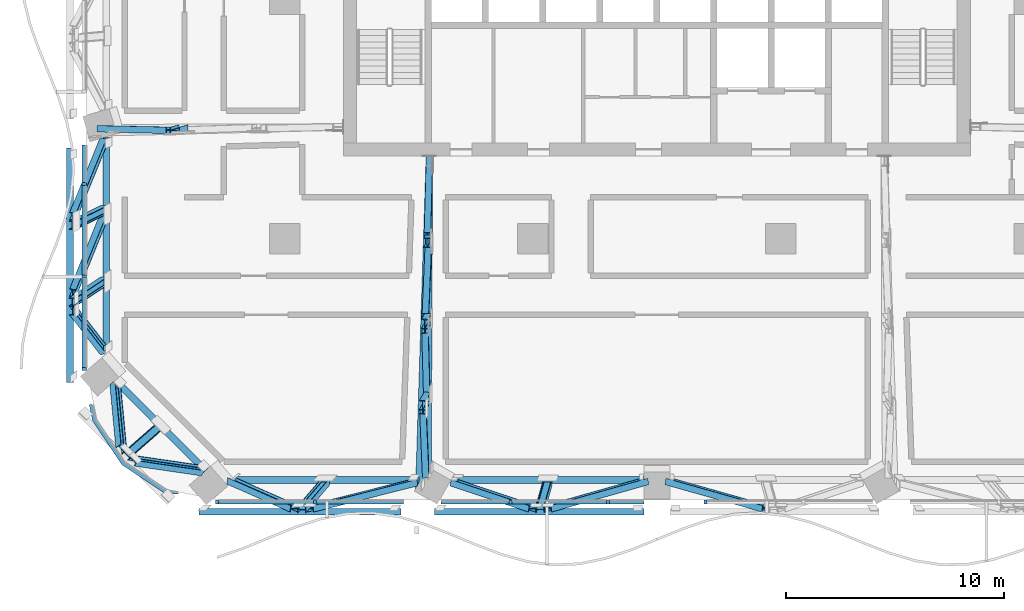
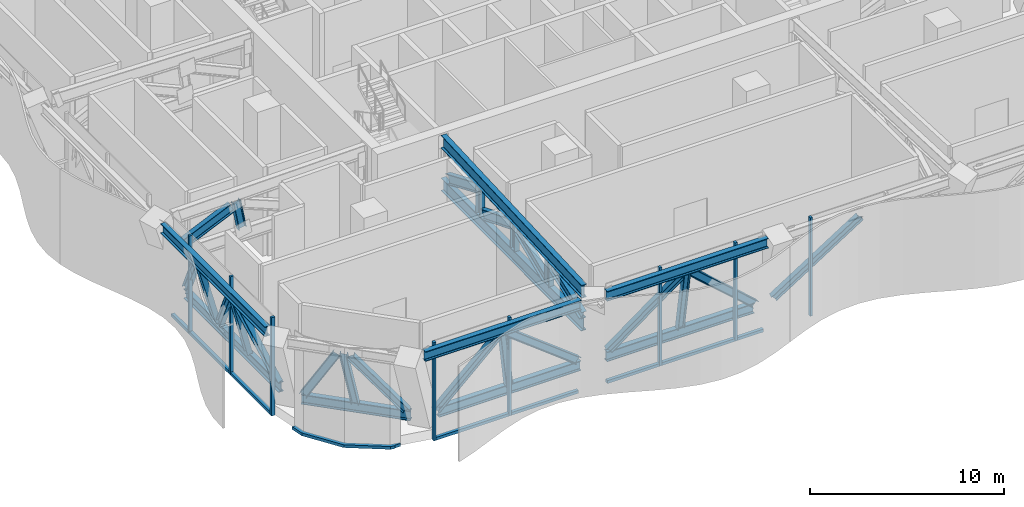
# One storey, part 2 of 26: 50 members, 3 elements without a shape of their own.
"""IFC4 building model written with IfcOpenShell, lengths in metres."""

import ifcopenshell
import ifcopenshell.guid

model = None  # the IFC model being written
_history = None  # IfcOwnerHistory: only IFC2X3 demands one
_inside = {}  # id of a spatial element -> (the spatial element, [elements in it])
_under = {}  # id of a project, library or spatial element -> (it, [spatial elements below it])
_declared = {}  # id of a project -> (the project, [libraries it declares])
_typed = {}  # id of a type object -> (the type object, [elements of that type])
_made_of = {}  # id of a material, layer set ... -> (it, [elements and type objects made of it])


def new_model(schema):
    """Start an empty IFC model of exactly this schema.

    Asked for "IFC4X3", IfcOpenShell would pick the latest addendum, in which some entities
    have other attributes; the version numbers below select the first issue.
    IFC2X3 requires an IfcOwnerHistory on every rooted entity: one is made here for all.
    """
    global model, _history
    if schema == "IFC4X3":
        model = ifcopenshell.file(schema_version=(4, 3, 0, 0))
    else:
        model = ifcopenshell.file(schema=schema)
    _inside.clear()
    _under.clear()
    _declared.clear()
    _typed.clear()
    _made_of.clear()
    _history = None
    if model.schema == "IFC2X3":
        org = make("IfcOrganization", Name="unknown")
        user = make(
            "IfcPersonAndOrganization",
            ThePerson=make("IfcPerson", FamilyName="unknown"),
            TheOrganization=org,
        )
        app = make(
            "IfcApplication",
            ApplicationDeveloper=org,
            Version="unknown",
            ApplicationFullName="unknown",
            ApplicationIdentifier="unknown",
        )
        _history = make(
            "IfcOwnerHistory",
            OwningUser=user,
            OwningApplication=app,
            ChangeAction="ADDED",
            CreationDate=0,
        )
    return model


def make(cls, **values):
    """One entity of the class cls with the attributes given. An attribute that is None is left unset."""
    return model.create_entity(
        cls, **{name: value for name, value in values.items() if value is not None}
    )


def rooted(cls, **values):
    """An entity with a GlobalId (a new one), such as an element, a storey or a relation."""
    return make(cls, GlobalId=ifcopenshell.guid.new(), OwnerHistory=_history, **values)


def si_unit(unit_type, name, prefix=None):
    """IfcSIUnit, for example si_unit("LENGTHUNIT", "METRE", prefix="MILLI")."""
    return make("IfcSIUnit", UnitType=unit_type, Prefix=prefix, Name=name)


def assignment(units):
    """IfcUnitAssignment: the units of a project."""
    return None if units is None else make("IfcUnitAssignment", Units=units)


def point(xyz):
    """IfcCartesianPoint."""
    return None if xyz is None else make("IfcCartesianPoint", Coordinates=xyz)


def direction(xyz):
    """IfcDirection."""
    return None if xyz is None else make("IfcDirection", DirectionRatios=xyz)


def frame(location, z_axis=None, x_axis=None):
    """IfcAxis2Placement3D, a coordinate frame: its origin and axes. An axis left out is left unset."""
    return make(
        "IfcAxis2Placement3D",
        Location=point(location),
        Axis=direction(z_axis),
        RefDirection=direction(x_axis),
    )


def frame_2d(location, x_axis=None):
    """IfcAxis2Placement2D, a coordinate frame in the plane: its origin and x axis."""
    return make(
        "IfcAxis2Placement2D", Location=point(location), RefDirection=direction(x_axis)
    )


def origin():
    """The frame at (0, 0, 0) with its axes left unset."""
    return frame((0.0, 0.0, 0.0))


def origin_2d():
    """The frame at (0, 0) in the plane with its x axis left unset."""
    return frame_2d((0.0, 0.0))


def place(relative_to, where):
    """IfcLocalPlacement: puts the frame where relative to a parent placement (None: the world)."""
    return make(
        "IfcLocalPlacement", PlacementRelTo=relative_to, RelativePlacement=where
    )


def context(
    kind, dimensions, precision=None, world=None, true_north=None, identifier=None
):
    """IfcGeometricRepresentationContext, for example the 3D "Model" context."""
    return make(
        "IfcGeometricRepresentationContext",
        ContextIdentifier=identifier,
        ContextType=kind,
        CoordinateSpaceDimension=dimensions,
        Precision=precision,
        WorldCoordinateSystem=world,
        TrueNorth=true_north,
    )


def subcontext(parent, identifier, kind, view, scale=None):
    """IfcGeometricRepresentationSubContext, for example "Body" below "Model"."""
    return make(
        "IfcGeometricRepresentationSubContext",
        ContextIdentifier=identifier,
        ContextType=kind,
        ParentContext=parent,
        TargetScale=scale,
        TargetView=view,
    )


def project(units=None, contexts=None):
    """IfcProject with its units and contexts."""
    return rooted(
        "IfcProject",
        Name="project",
        RepresentationContexts=contexts,
        UnitsInContext=assignment(units),
    )


def spatial(cls, under=None, at=None, **own):
    """A site, building, storey or space (cls), placed at a placement, below another one or the project."""
    s = rooted(cls, ObjectPlacement=at, **own)
    if under is not None:
        _under.setdefault(under.id(), (under, []))[1].append(s)
    return s


def polyline(points):
    """IfcPolyline through the points."""
    return make("IfcPolyline", Points=[point(p) for p in points])


def profile(cls, at=None, kind="AREA", **sizes):
    """A parametric profile (cls). Its sizes go by their IFC names, for example OverallWidth=200.0."""
    return make(cls, ProfileType=kind, Position=at, **sizes)


def rectangle(**sizes):
    """IfcRectangleProfileDef."""
    return profile("IfcRectangleProfileDef", **sizes)


def i_section(**sizes):
    """IfcIShapeProfileDef."""
    return profile("IfcIShapeProfileDef", **sizes)


def outline(outer, holes=None, kind="AREA"):
    """IfcArbitraryClosedProfileDef: a profile drawn as a closed curve; with holes, ...WithVoids."""
    if holes is None:
        return make("IfcArbitraryClosedProfileDef", ProfileType=kind, OuterCurve=outer)
    return make(
        "IfcArbitraryProfileDefWithVoids",
        ProfileType=kind,
        OuterCurve=outer,
        InnerCurves=holes,
    )


def extrude(swept, where, along, depth):
    """IfcExtrudedAreaSolid: the profile swept, set in the frame where, extruded along a direction by depth."""
    return make(
        "IfcExtrudedAreaSolid",
        SweptArea=swept,
        Position=where,
        ExtrudedDirection=direction(along),
        Depth=depth,
    )


def shape(context_of_items, identifier, shape_type, items):
    """IfcShapeRepresentation: the items that make up one representation, for example the "Body"."""
    return make(
        "IfcShapeRepresentation",
        ContextOfItems=context_of_items,
        RepresentationIdentifier=identifier,
        RepresentationType=shape_type,
        Items=items,
    )


def material(Name=None, Category=None):
    """IfcMaterial."""
    return make("IfcMaterial", Name=Name, Category=Category)


def material_profile(
    of_material, cross_section, Name=None, Category=None, Priority=None
):
    """IfcMaterialProfile: a cross section and its material."""
    return make(
        "IfcMaterialProfile",
        Name=Name,
        Material=of_material,
        Profile=cross_section,
        Priority=Priority,
        Category=Category,
    )


def profile_set(profiles, Name=None, composite=None):
    """IfcMaterialProfileSet."""
    return make(
        "IfcMaterialProfileSet",
        Name=Name,
        MaterialProfiles=profiles,
        CompositeProfile=composite,
    )


def made_of(thing, what):
    """Note that an element or type object is made of a material, layer set ...; save() writes the relation."""
    if what is not None:
        _made_of.setdefault(what.id(), (what, []))[1].append(thing)
    return thing


def type_object(cls, material=None, **own):
    """A type object (cls), such as IfcWallType, which elements share."""
    return made_of(rooted(cls, **own), material)


def element(
    cls,
    number,
    at=None,
    inside=None,
    cuts=None,
    type_object=None,
    material=None,
    context=None,
    identifier="Body",
    shape_type=None,
    held_by="IfcProductDefinitionShape",
    body=None,
    shapes=None,
    **own,
):
    """One element of the class cls, such as IfcWall. Its Tag is "e" and its number.

    at: its placement. inside: the storey or other place that contains it. cuts: it is an
    opening in that element (IfcRelVoidsElement). A single representation is given by context,
    identifier, shape_type and body (its items); several are given by shapes. held_by: the class
    of the entity that holds the representations. save() writes the other relations.
    """
    e = rooted(cls, Tag="e%d" % number, ObjectPlacement=at, **own)
    if body is not None:
        shapes = [shape(context, identifier, shape_type, body)]
    if shapes is not None:
        e.Representation = make(held_by, Representations=shapes)
    if inside is not None:
        _inside.setdefault(inside.id(), (inside, []))[1].append(e)
    if cuts is not None:
        rooted(
            "IfcRelVoidsElement", RelatingBuildingElement=cuts, RelatedOpeningElement=e
        )
    if type_object is not None:
        _typed.setdefault(type_object.id(), (type_object, []))[1].append(e)
    return made_of(e, material)


def aggregate(whole, parts):
    """IfcRelAggregates: a whole, such as a stair, and the parts it consists of."""
    return rooted("IfcRelAggregates", RelatingObject=whole, RelatedObjects=parts)


def save(model, path):
    """Write the relations noted so far, then the file.

    IfcRelAggregates (storeys below a building ...), IfcRelContainedInSpatialStructure (elements
    in a storey), IfcRelDefinesByType, IfcRelAssociatesMaterial and IfcRelDeclares: one each for
    every whole, place, type object, material and project.
    """
    for whole, parts in _under.values():
        aggregate(whole, parts)
    for where, things in _inside.values():
        rooted(
            "IfcRelContainedInSpatialStructure",
            RelatedElements=things,
            RelatingStructure=where,
        )
    for kind, things in _typed.values():
        rooted("IfcRelDefinesByType", RelatedObjects=things, RelatingType=kind)
    for what, things in _made_of.values():
        rooted("IfcRelAssociatesMaterial", RelatedObjects=things, RelatingMaterial=what)
    for by, libraries in _declared.values():
        rooted("IfcRelDeclares", RelatingContext=by, RelatedDefinitions=libraries)
    model.write(path)


model = new_model("IFC4")

# Units and contexts
model_context = context("Model", 3, precision=1e-05, world=origin(), true_north=direction((0.0, 1.0)))
body_context = subcontext(model_context, "Body", "Model", "MODEL_VIEW")
ifc_project = project(units=[si_unit("LENGTHUNIT", "METRE"), si_unit("AREAUNIT", "SQUARE_METRE"), si_unit("VOLUMEUNIT", "CUBIC_METRE"), si_unit("PLANEANGLEUNIT", "RADIAN"), si_unit("MASSUNIT", "GRAM", prefix="KILO")], contexts=[model_context])

# Site, building, storey
site_placement = place(None, origin())
site = spatial("IfcSite", under=ifc_project, at=site_placement, CompositionType="ELEMENT")
building_placement = place(site_placement, origin())
building = spatial("IfcBuilding", under=site, at=building_placement, Name="Mopane Tessera Tower", CompositionType="ELEMENT")
storey_placement = place(building_placement, frame((0.0, 0.0, 205.0)))
storey = spatial("IfcBuildingStorey", under=building, at=storey_placement, Name="L43", CompositionType="ELEMENT", Elevation=205.0)

# Curtain wall, members
ifc_material_1 = material(Name="Aluminium frame", Category="aluminium")
curtain_wall_type = type_object("IfcCurtainWallType", Name="Plant floor unitised wall", PredefinedType="NOTDEFINED", material=ifc_material_1)
curtain_wall_1_placement = place(storey_placement, origin())
curtain_wall_1 = element("IfcCurtainWall", 1, at=curtain_wall_1_placement, inside=storey, type_object=curtain_wall_type, Name="e:cw:L43:S:0", PredefinedType="NOTDEFINED")
ifc_material_2 = material(Name="Aluminium frame", Category="aluminium")
ifc_material_profile_1 = material_profile(ifc_material_2, rectangle(XDim=0.139892578125, YDim=0.199951171875, at=origin_2d()))
ifc_profile_set_1 = profile_set([ifc_material_profile_1], Name="Aluminium frame")
member_type_1 = type_object("IfcMemberType", Name="Aluminium mullion 140 x 200", PredefinedType="MULLION", material=ifc_profile_set_1)
member_1_placement = place(storey_placement, frame((-20.199951171875, -23.10009765625, -0.60009765625), z_axis=(0.0, 0.0, 1.0), x_axis=(1.0, 0.0, 0.0)))
member_1 = element("IfcMember", 2, at=member_1_placement, type_object=member_type_1, Name="e:cw:L43:S:0:mu0", PredefinedType="MULLION", context=body_context, shape_type="SweptSolid", body=[
    extrude(rectangle(XDim=0.139892578125, YDim=0.199951171875, at=origin_2d()), origin(), (0.0, 0.0, 1.0), 6.2001953125),
])
member_2_placement = place(storey_placement, frame((-15.711181640625, -23.10009765625, -0.60009765625), z_axis=(0.0, 0.0, 1.0), x_axis=(1.0, 0.0, 0.0)))
member_2 = element("IfcMember", 3, at=member_2_placement, type_object=member_type_1, Name="e:cw:L43:S:0:mu1", PredefinedType="MULLION", context=body_context, shape_type="SweptSolid", body=[
    extrude(rectangle(XDim=0.139892578125, YDim=0.199951171875, at=origin_2d()), origin(), (0.0, 0.0, 1.0), 6.2001953125),
])
member_3_placement = place(storey_placement, frame((-6.7333984375, -23.10009765625, -0.60009765625), z_axis=(0.0, 0.0, 1.0), x_axis=(1.0, 0.0, 0.0)))
member_3 = element("IfcMember", 4, at=member_3_placement, type_object=member_type_1, Name="e:cw:L43:S:0:mu3", PredefinedType="MULLION", context=body_context, shape_type="SweptSolid", body=[
    extrude(rectangle(XDim=0.139892578125, YDim=0.199951171875, at=origin_2d()), origin(), (0.0, 0.0, 1.0), 6.2001953125),
])
member_4_placement = place(storey_placement, frame((-2.244384765625, -23.10009765625, -0.60009765625), z_axis=(0.0, 0.0, 1.0), x_axis=(1.0, 0.0, 0.0)))
member_4 = element("IfcMember", 5, at=member_4_placement, type_object=member_type_1, Name="e:cw:L43:S:0:mu4", PredefinedType="MULLION", context=body_context, shape_type="SweptSolid", body=[
    extrude(rectangle(XDim=0.139892578125, YDim=0.199951171875, at=origin_2d()), origin(), (0.0, 0.0, 1.0), 6.2001953125),
])
member_5_placement = place(storey_placement, frame((2.244384765625, -23.10009765625, -0.60009765625), z_axis=(0.0, 0.0, 1.0), x_axis=(1.0, 0.0, 0.0)))
member_5 = element("IfcMember", 6, at=member_5_placement, type_object=member_type_1, Name="e:cw:L43:S:0:mu5", PredefinedType="MULLION", context=body_context, shape_type="SweptSolid", body=[
    extrude(rectangle(XDim=0.139892578125, YDim=0.199951171875, at=origin_2d()), origin(), (0.0, 0.0, 1.0), 6.2001953125),
])

curtain_wall_2_placement = place(storey_placement, origin())
curtain_wall_2 = element("IfcCurtainWall", 7, at=curtain_wall_2_placement, inside=storey, type_object=curtain_wall_type, Name="e:cw:L43:W:0", PredefinedType="NOTDEFINED")
member_6_placement = place(storey_placement, frame((-26.300048828125, -8.5, -0.60009765625), z_axis=(0.0, 0.0, 1.0), x_axis=(0.0, -1.0, 0.0)))
member_6 = element("IfcMember", 8, at=member_6_placement, type_object=member_type_1, Name="e:cw:L43:W:0:mu6", PredefinedType="MULLION", context=body_context, shape_type="SweptSolid", body=[
    extrude(rectangle(XDim=0.139892578125, YDim=0.199951171875, at=origin_2d()), origin(), (0.0, 0.0, 1.0), 6.2001953125),
])
member_7_placement = place(storey_placement, frame((-26.300048828125, -12.75, -0.60009765625), z_axis=(0.0, 0.0, 1.0), x_axis=(0.0, -1.0, 0.0)))
member_7 = element("IfcMember", 9, at=member_7_placement, type_object=member_type_1, Name="e:cw:L43:W:0:mu7", PredefinedType="MULLION", context=body_context, shape_type="SweptSolid", body=[
    extrude(rectangle(XDim=0.139892578125, YDim=0.199951171875, at=origin_2d()), origin(), (0.0, 0.0, 1.0), 6.2001953125),
])
member_8_placement = place(storey_placement, frame((-26.300048828125, -17.0, -0.60009765625), z_axis=(0.0, 0.0, 1.0), x_axis=(0.0, -1.0, 0.0)))
member_8 = element("IfcMember", 10, at=member_8_placement, type_object=member_type_1, Name="e:cw:L43:W:0:mu8", PredefinedType="MULLION", context=body_context, shape_type="SweptSolid", body=[
    extrude(rectangle(XDim=0.139892578125, YDim=0.199951171875, at=origin_2d()), origin(), (0.0, 0.0, 1.0), 6.2001953125),
])

# Member
ifc_material_3 = material(Name="Aluminium frame", Category="aluminium")
ifc_material_profile_2 = material_profile(ifc_material_3, rectangle(XDim=0.199951171875, YDim=0.179931640625, at=origin_2d()))
ifc_profile_set_2 = profile_set([ifc_material_profile_2], Name="Aluminium frame")
member_type_2 = type_object("IfcMemberType", Name="Aluminium transom 200 x 180", PredefinedType="USERDEFINED", material=ifc_profile_set_2)
member_9_placement = place(storey_placement, frame((-20.1298828125, -23.10009765625, -0.510009765625), z_axis=(1.0, 0.0, 0.0), x_axis=(0.0, 1.0, 0.0)))
member_9 = element("IfcMember", 11, at=member_9_placement, type_object=member_type_2, Name="e:cw:L43:S:0:tr0", ObjectType="TRANSOM", PredefinedType="USERDEFINED", context=body_context, shape_type="SweptSolid", body=[
    extrude(rectangle(XDim=0.199951171875, YDim=0.179931640625, at=origin_2d()), origin(), (0.0, 0.0, 1.0), 4.348876953125),
])

member_10_placement = place(storey_placement, frame((-15.64111328125, -23.10009765625, -0.510009765625), z_axis=(1.0, 0.0, 0.0), x_axis=(0.0, 1.0, 0.0)))
member_10 = element("IfcMember", 12, at=member_10_placement, type_object=member_type_2, Name="e:cw:L43:S:0:tr1", ObjectType="TRANSOM", PredefinedType="USERDEFINED", context=body_context, shape_type="SweptSolid", body=[
    extrude(rectangle(XDim=0.199951171875, YDim=0.179931640625, at=origin_2d()), origin(), (0.0, 0.0, 1.0), 4.007568359375),
])

member_11_placement = place(storey_placement, frame((-9.912841796875, -23.10009765625, -0.510009765625), z_axis=(1.0, 0.0, 0.0), x_axis=(0.0, 1.0, 0.0)))
member_11 = element("IfcMember", 13, at=member_11_placement, type_object=member_type_2, Name="e:cw:L43:S:0:tr2", ObjectType="TRANSOM", PredefinedType="USERDEFINED", context=body_context, shape_type="SweptSolid", body=[
    extrude(rectangle(XDim=0.199951171875, YDim=0.179931640625, at=origin_2d()), origin(), (0.0, 0.0, 1.0), 3.109619140625),
])

member_12_placement = place(storey_placement, frame((-6.663330078125, -23.10009765625, -0.510009765625), z_axis=(1.0, 0.0, 0.0), x_axis=(0.0, 1.0, 0.0)))
member_12 = element("IfcMember", 14, at=member_12_placement, type_object=member_type_2, Name="e:cw:L43:S:0:tr3", ObjectType="TRANSOM", PredefinedType="USERDEFINED", context=body_context, shape_type="SweptSolid", body=[
    extrude(rectangle(XDim=0.199951171875, YDim=0.179931640625, at=origin_2d()), origin(), (0.0, 0.0, 1.0), 4.348876953125),
])

member_13_placement = place(storey_placement, frame((-2.174560546875, -23.10009765625, -0.510009765625), z_axis=(1.0, 0.0, 0.0), x_axis=(0.0, 1.0, 0.0)))
member_13 = element("IfcMember", 15, at=member_13_placement, type_object=member_type_2, Name="e:cw:L43:S:0:tr4", ObjectType="TRANSOM", PredefinedType="USERDEFINED", context=body_context, shape_type="SweptSolid", body=[
    extrude(rectangle(XDim=0.199951171875, YDim=0.179931640625, at=origin_2d()), origin(), (0.0, 0.0, 1.0), 1.574462890625),
])

aggregate(curtain_wall_1, [member_1, member_2, member_3, member_4, member_5, member_9, member_10, member_11, member_12, member_13])

member_14_placement = place(storey_placement, frame((-26.300048828125, -6.710693359375, -0.510009765625), z_axis=(0.0, -1.0, 0.0), x_axis=(1.0, 0.0, 0.0)))
member_14 = element("IfcMember", 16, at=member_14_placement, type_object=member_type_2, Name="e:cw:L43:W:0:tr5", ObjectType="TRANSOM", PredefinedType="USERDEFINED", context=body_context, shape_type="SweptSolid", body=[
    extrude(rectangle(XDim=0.199951171875, YDim=0.179931640625, at=origin_2d()), origin(), (0.0, 0.0, 1.0), 1.71923828125),
])

member_15_placement = place(storey_placement, frame((-26.300048828125, -8.570068359375, -0.510009765625), z_axis=(0.0, -1.0, 0.0), x_axis=(1.0, 0.0, 0.0)))
member_15 = element("IfcMember", 17, at=member_15_placement, type_object=member_type_2, Name="e:cw:L43:W:0:tr6", ObjectType="TRANSOM", PredefinedType="USERDEFINED", context=body_context, shape_type="SweptSolid", body=[
    extrude(rectangle(XDim=0.199951171875, YDim=0.179931640625, at=origin_2d()), origin(), (0.0, 0.0, 1.0), 4.10986328125),
])

member_16_placement = place(storey_placement, frame((-26.300048828125, -12.820068359375, -0.510009765625), z_axis=(0.0, -1.0, 0.0), x_axis=(1.0, 0.0, 0.0)))
member_16 = element("IfcMember", 18, at=member_16_placement, type_object=member_type_2, Name="e:cw:L43:W:0:tr7", ObjectType="TRANSOM", PredefinedType="USERDEFINED", context=body_context, shape_type="SweptSolid", body=[
    extrude(rectangle(XDim=0.199951171875, YDim=0.179931640625, at=origin_2d()), origin(), (0.0, 0.0, 1.0), 4.10986328125),
])

aggregate(curtain_wall_2, [member_6, member_7, member_8, member_14, member_15, member_16])

# Curtain wall, member
curtain_wall_3_placement = place(storey_placement, origin())
curtain_wall_3 = element("IfcCurtainWall", 19, at=curtain_wall_3_placement, inside=storey, type_object=curtain_wall_type, Name="e:cw:L43:CW", PredefinedType="NOTDEFINED")
member_17_placement = place(storey_placement, frame((0.0, 0.0, -0.60009765625)))
member_17 = element("IfcMember", 20, at=member_17_placement, type_object=member_type_2, Name="e:cw:L43:CW:tr", ObjectType="TRANSOM", PredefinedType="USERDEFINED", context=body_context, shape_type="SweptSolid", body=[
    extrude(outline(polyline([(-24.442626953125, -21.24267578125), (-22.49609375, -22.543212890625), (-21.977783203125, -22.646484375), (-21.977783203125, -22.73193359375), (-22.322265625, -22.73193359375), (-22.322265625, -22.77783203125), (-22.57275390625, -22.72802734375), (-24.583984375, -21.384033203125), (-25.927978515625, -19.37255859375), (-26.07568359375, -18.630615234375), (-25.875732421875, -18.630615234375), (-25.7431640625, -19.296142578125), (-24.442626953125, -21.24267578125)])), origin(), (0.0, 0.0, 1.0), 0.18017578125),
])
aggregate(curtain_wall_3, [member_17])

# Members
ifc_material_4 = material(Name="Structural steel S460", Category="steel")
ifc_material_profile_3 = material_profile(ifc_material_4, i_section(OverallWidth=0.304931640625, OverallDepth=0.6201171875, WebThickness=0.02099609375, FlangeThickness=0.0400390625, FilletRadius=0.027099609375, at=origin_2d()))
ifc_profile_set_3 = profile_set([ifc_material_profile_3], Name="Structural steel S460")
member_type_3 = type_object("IfcMemberType", Name="Belt truss chord HE 600 M", PredefinedType="CHORD", material=ifc_profile_set_3)
member_18_placement = place(storey_placement, frame((-19.383056640625, -22.09033203125, 0.31005859375), z_axis=(1.0, 0.0, 0.0), x_axis=(0.0, 1.0, 0.0)))
element("IfcMember", 21, at=member_18_placement, inside=storey, type_object=member_type_3, Name="Belt truss bottom chord L43 S0-S1", PredefinedType="CHORD", context=body_context, shape_type="SweptSolid", body=[
    extrude(i_section(OverallWidth=0.304931640625, OverallDepth=0.6201171875, WebThickness=0.02099609375, FlangeThickness=0.0400390625, FilletRadius=0.027099609375, at=origin_2d()), origin(), (0.0, 0.0, 1.0), 8.45361328125),
])
member_19_placement = place(storey_placement, frame((-21.04296875, -23.54296875, 5.2900390625), z_axis=(1.0, 0.0, 0.0), x_axis=(0.0, 1.0, 0.0)))
element("IfcMember", 22, at=member_19_placement, inside=storey, type_object=member_type_3, Name="Belt truss top chord L43 S0-S1", PredefinedType="CHORD", context=body_context, shape_type="SweptSolid", body=[
    extrude(i_section(OverallWidth=0.304931640625, OverallDepth=0.6201171875, WebThickness=0.02099609375, FlangeThickness=0.0400390625, FilletRadius=0.027099609375, at=origin_2d()), origin(), (0.0, 0.0, 1.0), 9.28369140625),
])
member_20_placement = place(storey_placement, frame((-9.374267578125, -22.09033203125, 0.31005859375), z_axis=(1.0, 0.0, 0.0), x_axis=(0.0, 1.0, 0.0)))
element("IfcMember", 23, at=member_20_placement, inside=storey, type_object=member_type_3, Name="Belt truss bottom chord L43 S1-S2", PredefinedType="CHORD", context=body_context, shape_type="SweptSolid", body=[
    extrude(i_section(OverallWidth=0.304931640625, OverallDepth=0.6201171875, WebThickness=0.02099609375, FlangeThickness=0.0400390625, FilletRadius=0.027099609375, at=origin_2d()), origin(), (0.0, 0.0, 1.0), 8.774658203125),
])
member_21_placement = place(storey_placement, frame((-10.2041015625, -23.54296875, 5.2900390625), z_axis=(1.0, 0.0, 0.0), x_axis=(0.0, 1.0, 0.0)))
element("IfcMember", 24, at=member_21_placement, inside=storey, type_object=member_type_3, Name="Belt truss top chord L43 S1-S2", PredefinedType="CHORD", context=body_context, shape_type="SweptSolid", body=[
    extrude(i_section(OverallWidth=0.304931640625, OverallDepth=0.6201171875, WebThickness=0.02099609375, FlangeThickness=0.0400390625, FilletRadius=0.027099609375, at=origin_2d()), origin(), (0.0, 0.0, 1.0), 9.6044921875),
])
member_22_placement = place(storey_placement, frame((-25.30322265625, -6.36572265625, 0.31005859375), z_axis=(0.0, -1.0, 0.0), x_axis=(1.0, 0.0, 0.0)))
element("IfcMember", 25, at=member_22_placement, inside=storey, type_object=member_type_3, Name="Belt truss bottom chord L43 W2-W3", PredefinedType="CHORD", context=body_context, shape_type="SweptSolid", body=[
    extrude(i_section(OverallWidth=0.304931640625, OverallDepth=0.6201171875, WebThickness=0.02099609375, FlangeThickness=0.0400390625, FilletRadius=0.027099609375, at=origin_2d()), origin(), (0.0, 0.0, 1.0), 9.794677734375),
])
member_23_placement = place(storey_placement, frame((-26.96337890625, -6.849853515625, 5.2900390625), z_axis=(0.0, -1.0, 0.0), x_axis=(1.0, 0.0, 0.0)))
element("IfcMember", 26, at=member_23_placement, inside=storey, type_object=member_type_3, Name="Belt truss top chord L43 W2-W3", PredefinedType="CHORD", context=body_context, shape_type="SweptSolid", body=[
    extrude(i_section(OverallWidth=0.304931640625, OverallDepth=0.6201171875, WebThickness=0.02099609375, FlangeThickness=0.0400390625, FilletRadius=0.027099609375, at=origin_2d()), origin(), (0.0, 0.0, 1.0), 10.762939453125),
])
member_24_placement = place(storey_placement, frame((-24.871337890625, -17.5224609375, 0.31005859375), z_axis=(0.707106781187, -0.707106781187, 0.0), x_axis=(0.707106781187, 0.707106781187, 0.0)))
element("IfcMember", 27, at=member_24_placement, inside=storey, type_object=member_type_3, Name="Belt truss bottom chord L43 W3-S0", PredefinedType="CHORD", context=body_context, shape_type="SweptSolid", body=[
    extrude(i_section(OverallWidth=0.304931640625, OverallDepth=0.6201171875, WebThickness=0.02099609375, FlangeThickness=0.0400390625, FilletRadius=0.027099609375, at=origin_2d()), origin(), (0.0, 0.0, 1.0), 5.84912109375),
])
ifc_material_5 = material(Name="Structural steel S460", Category="steel")
ifc_material_profile_4 = material_profile(ifc_material_5, i_section(OverallWidth=0.300048828125, OverallDepth=0.449951171875, WebThickness=0.013916015625, FlangeThickness=0.02587890625, FilletRadius=0.027099609375, at=origin_2d()))
ifc_profile_set_4 = profile_set([ifc_material_profile_4], Name="Structural steel S460")
member_type_4 = type_object("IfcMemberType", Name="Belt truss diagonal HE 450 B", PredefinedType="BRACE", material=ifc_profile_set_4)
member_25_placement = place(storey_placement, frame((-19.54833984375, -22.1337890625, 0.458984375), z_axis=(0.534125013888, -0.236708353541, 0.811590798927), x_axis=(0.130133902201, 0.97158075081, 0.197727115374)))
element("IfcMember", 28, at=member_25_placement, inside=storey, type_object=member_type_4, Name="Belt truss diagonal 0 L43 S0-S1", PredefinedType="BRACE", context=body_context, shape_type="SweptSolid", body=[
    extrude(i_section(OverallWidth=0.300048828125, OverallDepth=0.449951171875, WebThickness=0.013916015625, FlangeThickness=0.02587890625, FilletRadius=0.027099609375, at=origin_2d()), origin(), (0.0, 0.0, 1.0), 5.421142578125),
])
member_26_placement = place(storey_placement, frame((-15.92333984375, -23.4169921875, 4.858642578125), z_axis=(0.74405429857, 0.187049994396, -0.641401200791), x_axis=(-0.141659023539, 0.982350395202, 0.12214917968)))
element("IfcMember", 29, at=member_26_placement, inside=storey, type_object=member_type_4, Name="Belt truss diagonal 1 L43 S0-S1", PredefinedType="BRACE", context=body_context, shape_type="SweptSolid", body=[
    extrude(i_section(OverallWidth=0.300048828125, OverallDepth=0.449951171875, WebThickness=0.013916015625, FlangeThickness=0.02587890625, FilletRadius=0.027099609375, at=origin_2d()), origin(), (0.0, 0.0, 1.0), 6.4189453125),
])
member_27_placement = place(storey_placement, frame((-9.304931640625, -22.217529296875, 0.745849609375), z_axis=(0.64225685796, -0.214610338975, 0.735831863137), x_axis=(0.14112011445, 0.976699750378, 0.161687077122)))
element("IfcMember", 30, at=member_27_placement, inside=storey, type_object=member_type_4, Name="Belt truss diagonal 0 L43 S1-S2", PredefinedType="BRACE", context=body_context, shape_type="SweptSolid", body=[
    extrude(i_section(OverallWidth=0.300048828125, OverallDepth=0.449951171875, WebThickness=0.013916015625, FlangeThickness=0.02587890625, FilletRadius=0.027099609375, at=origin_2d()), origin(), (0.0, 0.0, 1.0), 5.583251953125),
])
for number, where, z_axis, x_axis, name in (
    (31, (-4.99853515625, -23.415771484375, 4.854248046875), (0.704324995603, 0.198756842381, -0.68148515624), (-0.142830661194, 0.980048834223, 0.138216079967), "Belt truss diagonal 1 L43 S1-S2"),
    (32, (0.549072265625, -22.16015625, 0.549072265625), (0.704324995603, -0.198756842381, 0.68148515624), (0.142830661194, 0.980048834223, 0.138216079967), "Belt truss diagonal 0 L43 S2-S3"),
):
    element("IfcMember", number, at=place(storey_placement, frame(where, z_axis=z_axis, x_axis=x_axis)), inside=storey, type_object=member_type_4, Name=name, PredefinedType="BRACE", context=body_context, shape_type="SweptSolid", body=[
        extrude(i_section(OverallWidth=0.300048828125, OverallDepth=0.449951171875, WebThickness=0.013916015625, FlangeThickness=0.02587890625, FilletRadius=0.027099609375, at=origin_2d()), origin(), (0.0, 0.0, 1.0), 6.3173828125),
    ])
member_28_placement = place(storey_placement, frame((-25.436279296875, -6.576904296875, 0.708984375), z_axis=(-0.250092587461, -0.612047953972, 0.750233963331), x_axis=(0.968221925622, -0.158109369998, 0.193772366101)))
element("IfcMember", 33, at=member_28_placement, inside=storey, type_object=member_type_4, Name="Belt truss diagonal 0 L43 W2-W3", PredefinedType="BRACE", context=body_context, shape_type="SweptSolid", body=[
    extrude(i_section(OverallWidth=0.300048828125, OverallDepth=0.449951171875, WebThickness=0.013916015625, FlangeThickness=0.02587890625, FilletRadius=0.027099609375, at=origin_2d()), origin(), (0.0, 0.0, 1.0), 5.57421875),
])
member_29_placement = place(storey_placement, frame((-25.43359375, -10.06982421875, 0.700927734375), z_axis=(-0.24983774848, -0.613087538402, 0.749469658952), x_axis=(0.968287714499, -0.158218679526, 0.193353953666)))
element("IfcMember", 34, at=member_29_placement, inside=storey, type_object=member_type_4, Name="Belt truss diagonal 1 L43 W2-W3", PredefinedType="BRACE", context=body_context, shape_type="SweptSolid", body=[
    extrude(i_section(OverallWidth=0.300048828125, OverallDepth=0.449951171875, WebThickness=0.013916015625, FlangeThickness=0.02587890625, FilletRadius=0.027099609375, at=origin_2d()), origin(), (0.0, 0.0, 1.0), 5.601318359375),
])
member_30_placement = place(storey_placement, frame((-26.830322265625, -14.298828125, 4.890869140625), z_axis=(0.292684281038, -0.378746786794, -0.878001584922), x_axis=(0.9562091341, 0.115986684967, 0.268721381312)))
element("IfcMember", 35, at=member_30_placement, inside=storey, type_object=member_type_4, Name="Belt truss diagonal 2 L43 W2-W3", PredefinedType="BRACE", context=body_context, shape_type="SweptSolid", body=[
    extrude(i_section(OverallWidth=0.300048828125, OverallDepth=0.449951171875, WebThickness=0.013916015625, FlangeThickness=0.02587890625, FilletRadius=0.027099609375, at=origin_2d()), origin(), (0.0, 0.0, 1.0), 4.762939453125),
])
member_31_placement = place(storey_placement, frame((-24.875, -17.759521484375, 0.695068359375), z_axis=(0.053479155953, -0.567155505062, 0.821872625749), x_axis=(0.779769071983, 0.53785629451, 0.32042284693)))
element("IfcMember", 36, at=member_31_placement, inside=storey, type_object=member_type_4, Name="Belt truss diagonal 0 L43 W3-S0", PredefinedType="BRACE", context=body_context, shape_type="SweptSolid", body=[
    extrude(i_section(OverallWidth=0.300048828125, OverallDepth=0.449951171875, WebThickness=0.013916015625, FlangeThickness=0.02587890625, FilletRadius=0.027099609375, at=origin_2d()), origin(), (0.0, 0.0, 1.0), 5.1220703125),
])
member_32_placement = place(storey_placement, frame((-24.06884765625, -21.19677734375, 4.90478515625), z_axis=(0.588337593161, -0.085800203806, -0.80405049686), x_axis=(0.532813929341, 0.789099900019, 0.305664300322)))
element("IfcMember", 37, at=member_32_placement, inside=storey, type_object=member_type_4, Name="Belt truss diagonal 1 L43 W3-S0", PredefinedType="BRACE", context=body_context, shape_type="SweptSolid", body=[
    extrude(i_section(OverallWidth=0.300048828125, OverallDepth=0.449951171875, WebThickness=0.013916015625, FlangeThickness=0.02587890625, FilletRadius=0.027099609375, at=origin_2d()), origin(), (0.0, 0.0, 1.0), 5.235595703125),
])
ifc_material_6 = material(Name="Structural steel S460", Category="steel")
ifc_material_profile_5 = material_profile(ifc_material_6, i_section(OverallWidth=0.300048828125, OverallDepth=0.39990234375, WebThickness=0.013427734375, FlangeThickness=0.02392578125, FilletRadius=0.027099609375, at=origin_2d()))
ifc_profile_set_5 = profile_set([ifc_material_profile_5], Name="Structural steel S460")
member_type_5 = type_object("IfcMemberType", Name="Belt truss post HE 400 B", PredefinedType="POST", material=ifc_profile_set_5)
member_33_placement = place(storey_placement, frame((-15.2333984375, -22.180908203125, 0.6201171875), z_axis=(-0.232361267944, -0.272308164593, 0.933732565918), x_axis=(-0.065661907307, 0.962210088415, 0.264273077858)))
element("IfcMember", 38, at=member_33_placement, inside=storey, type_object=member_type_5, Name="Belt truss post 1 L43 S0-S1", PredefinedType="POST", context=body_context, shape_type="SweptSolid", body=[
    extrude(i_section(OverallWidth=0.300048828125, OverallDepth=0.39990234375, WebThickness=0.013427734375, FlangeThickness=0.02392578125, FilletRadius=0.027099609375, at=origin_2d()), origin(), (0.0, 0.0, 1.0), 4.669189453125),
])
member_34_placement = place(storey_placement, frame((-5.01220703125, -22.180908203125, 0.6201171875), z_axis=(-0.078352417784, -0.279110391122, 0.957057097667), x_axis=(-0.022756629469, 0.960259021976, 0.278181139779)))
element("IfcMember", 39, at=member_34_placement, inside=storey, type_object=member_type_5, Name="Belt truss post 1 L43 S1-S2", PredefinedType="POST", context=body_context, shape_type="SweptSolid", body=[
    extrude(i_section(OverallWidth=0.300048828125, OverallDepth=0.39990234375, WebThickness=0.013427734375, FlangeThickness=0.02392578125, FilletRadius=0.027099609375, at=origin_2d()), origin(), (0.0, 0.0, 1.0), 4.555419921875),
])
member_35_placement = place(storey_placement, frame((-25.40673828125, -9.681640625, 0.6201171875), z_axis=(-0.312421061846, -0.154058436915, 0.937368165733), x_axis=(0.94994372346, -0.050616707484, 0.308293482225)))
element("IfcMember", 40, at=member_35_placement, inside=storey, type_object=member_type_5, Name="Belt truss post 1 L43 W2-W3", PredefinedType="POST", context=body_context, shape_type="SweptSolid", body=[
    extrude(i_section(OverallWidth=0.300048828125, OverallDepth=0.39990234375, WebThickness=0.013427734375, FlangeThickness=0.02392578125, FilletRadius=0.027099609375, at=origin_2d()), origin(), (0.0, 0.0, 1.0), 4.651123046875),
])
member_36_placement = place(storey_placement, frame((-25.40673828125, -12.9638671875, 0.6201171875), z_axis=(-0.309522043948, -0.204371914098, 0.928670137906), x_axis=(0.950892266512, -0.066480921582, 0.302298171602)))
element("IfcMember", 41, at=member_36_placement, inside=storey, type_object=member_type_5, Name="Belt truss post 2 L43 W2-W3", PredefinedType="POST", context=body_context, shape_type="SweptSolid", body=[
    extrude(i_section(OverallWidth=0.300048828125, OverallDepth=0.39990234375, WebThickness=0.013427734375, FlangeThickness=0.02392578125, FilletRadius=0.027099609375, at=origin_2d()), origin(), (0.0, 0.0, 1.0), 4.69482421875),
])
member_37_placement = place(storey_placement, frame((-22.90673828125, -19.680908203125, 0.6201171875), z_axis=(-0.304747191125, -0.266653792234, 0.914343974984), x_axis=(0.638405437369, 0.655233196954, 0.403866258985)))
element("IfcMember", 42, at=member_37_placement, inside=storey, type_object=member_type_5, Name="Belt truss post 1 L43 W3-S0", PredefinedType="POST", context=body_context, shape_type="SweptSolid", body=[
    extrude(i_section(OverallWidth=0.300048828125, OverallDepth=0.39990234375, WebThickness=0.013427734375, FlangeThickness=0.02392578125, FilletRadius=0.027099609375, at=origin_2d()), origin(), (0.0, 0.0, 1.0), 4.768310546875),
])
ifc_material_7 = material(Name="Structural steel S460", Category="steel")
ifc_material_profile_6 = material_profile(ifc_material_7, i_section(OverallWidth=0.302978515625, OverallDepth=0.81396484375, WebThickness=0.02099609375, FlangeThickness=0.0400390625, FilletRadius=0.030029296875, at=origin_2d()))
ifc_profile_set_6 = profile_set([ifc_material_profile_6], Name="Structural steel S460")
member_type_6 = type_object("IfcMemberType", Name="Outrigger truss chord HE 800 M", PredefinedType="CHORD", material=ifc_profile_set_6)
member_38_placement = place(storey_placement, frame((-10.4501953125, -7.215087890625, 2.507080078125), z_axis=(-0.004357695283, -0.999990505201, 0.0), x_axis=(0.999990505201, -0.004357695283, 0.0)))
element("IfcMember", 43, at=member_38_placement, inside=storey, type_object=member_type_6, Name="Outrigger truss bottom chord L43 S1", PredefinedType="CHORD", context=body_context, shape_type="SweptSolid", body=[
    extrude(i_section(OverallWidth=0.302978515625, OverallDepth=0.81396484375, WebThickness=0.02099609375, FlangeThickness=0.0400390625, FilletRadius=0.030029296875, at=origin_2d()), origin(), (0.0, 0.0, 1.0), 14.566650390625),
])
member_39_placement = place(storey_placement, frame((-10.45068359375, -7.215087890625, 5.193115234375), z_axis=(-0.031581775353, -0.999501171318, 0.0), x_axis=(0.999501171318, -0.031581775353, 0.0)))
element("IfcMember", 44, at=member_39_placement, inside=storey, type_object=member_type_6, Name="Outrigger truss top chord L43 S1", PredefinedType="CHORD", context=body_context, shape_type="SweptSolid", body=[
    extrude(i_section(OverallWidth=0.302978515625, OverallDepth=0.81396484375, WebThickness=0.02099609375, FlangeThickness=0.0400390625, FilletRadius=0.030029296875, at=origin_2d()), origin(), (0.0, 0.0, 1.0), 15.3525390625),
])
ifc_material_8 = material(Name="Structural steel S460", Category="steel")
ifc_material_profile_7 = material_profile(ifc_material_8, i_section(OverallWidth=0.300048828125, OverallDepth=0.60009765625, WebThickness=0.015380859375, FlangeThickness=0.030029296875, FilletRadius=0.027099609375, at=origin_2d()))
ifc_profile_set_7 = profile_set([ifc_material_profile_7], Name="Structural steel S460")
member_type_7 = type_object("IfcMemberType", Name="Outrigger truss diagonal HE 600 B", PredefinedType="BRACE", material=ifc_profile_set_7)
member_40_placement = place(storey_placement, frame((-22.415771484375, -6.0244140625, 4.527099609375), z_axis=(-0.904625953509, 0.019337315433, -0.425767486393), x_axis=(-0.016879154357, -0.999811966745, -0.009545957359)))
element("IfcMember", 45, at=member_40_placement, inside=storey, type_object=member_type_7, Name="Outrigger truss diagonal 2 L43 W2", PredefinedType="BRACE", context=body_context, shape_type="SweptSolid", body=[
    extrude(i_section(OverallWidth=0.300048828125, OverallDepth=0.60009765625, WebThickness=0.015380859375, FlangeThickness=0.030029296875, FilletRadius=0.027099609375, at=origin_2d()), origin(), (0.0, 0.0, 1.0), 3.5224609375),
])
member_41_placement = place(storey_placement, frame((-10.45654296875, -7.760986328125, 3.16943359375), z_axis=(-0.025267243484, -0.914543895967, 0.40369670392), x_axis=(0.999679185299, -0.023825766607, 0.008594144887)))
element("IfcMember", 46, at=member_41_placement, inside=storey, type_object=member_type_7, Name="Outrigger truss diagonal 0 L43 S1", PredefinedType="BRACE", context=body_context, shape_type="SweptSolid", body=[
    extrude(i_section(OverallWidth=0.300048828125, OverallDepth=0.60009765625, WebThickness=0.015380859375, FlangeThickness=0.030029296875, FilletRadius=0.027099609375, at=origin_2d()), origin(), (0.0, 0.0, 1.0), 3.3720703125),
])
member_42_placement = place(storey_placement, frame((-10.49755859375, -11.390869140625, 3.16943359375), z_axis=(-0.039821937393, -0.918375779566, 0.393700572527), x_axis=(0.999205294115, -0.037282733648, 0.014098864655)))
element("IfcMember", 47, at=member_42_placement, inside=storey, type_object=member_type_7, Name="Outrigger truss diagonal 1 L43 S1", PredefinedType="BRACE", context=body_context, shape_type="SweptSolid", body=[
    extrude(i_section(OverallWidth=0.300048828125, OverallDepth=0.60009765625, WebThickness=0.015380859375, FlangeThickness=0.030029296875, FilletRadius=0.027099609375, at=origin_2d()), origin(), (0.0, 0.0, 1.0), 3.457763671875),
])
member_43_placement = place(storey_placement, frame((-10.651611328125, -15.21826171875, 4.53076171875), z_axis=(0.025344980084, -0.898844417519, -0.437534393024), x_axis=(0.999676916775, 0.021946994319, 0.012821525143)))
element("IfcMember", 48, at=member_43_placement, inside=storey, type_object=member_type_7, Name="Outrigger truss diagonal 2 L43 S1", PredefinedType="BRACE", context=body_context, shape_type="SweptSolid", body=[
    extrude(i_section(OverallWidth=0.300048828125, OverallDepth=0.60009765625, WebThickness=0.015380859375, FlangeThickness=0.030029296875, FilletRadius=0.027099609375, at=origin_2d()), origin(), (0.0, 0.0, 1.0), 3.111328125),
])
member_44_placement = place(storey_placement, frame((-10.744140625, -18.92919921875, 4.525634765625), z_axis=(0.039050681317, -0.908679315251, -0.415664463629), x_axis=(0.999235576498, 0.034754533614, 0.01789930317)))
element("IfcMember", 49, at=member_44_placement, inside=storey, type_object=member_type_7, Name="Outrigger truss diagonal 3 L43 S1", PredefinedType="BRACE", context=body_context, shape_type="SweptSolid", body=[
    extrude(i_section(OverallWidth=0.300048828125, OverallDepth=0.60009765625, WebThickness=0.015380859375, FlangeThickness=0.030029296875, FilletRadius=0.027099609375, at=origin_2d()), origin(), (0.0, 0.0, 1.0), 3.2509765625),
])
ifc_material_9 = material(Name="Structural steel S460", Category="steel")
ifc_material_profile_8 = material_profile(ifc_material_9, i_section(OverallWidth=0.300048828125, OverallDepth=0.449951171875, WebThickness=0.013916015625, FlangeThickness=0.02587890625, FilletRadius=0.027099609375, at=origin_2d()))
ifc_profile_set_8 = profile_set([ifc_material_profile_8], Name="Structural steel S460")
member_type_8 = type_object("IfcMemberType", Name="Outrigger truss post HE 450 B", PredefinedType="POST", material=ifc_profile_set_8)
member_45_placement = place(storey_placement, frame((-21.75439453125, -5.92041015625, 2.9140625), z_axis=(-0.203560060069, -0.059270775161, 0.977266737977), x_axis=(0.014947584974, -0.99823767882, -0.057429141444)))
element("IfcMember", 50, at=member_45_placement, inside=storey, type_object=member_type_8, Name="Outrigger truss post 2 L43 W2", PredefinedType="POST", context=body_context, shape_type="SweptSolid", body=[
    extrude(i_section(OverallWidth=0.300048828125, OverallDepth=0.449951171875, WebThickness=0.013916015625, FlangeThickness=0.02587890625, FilletRadius=0.027099609375, at=origin_2d()), origin(), (0.0, 0.0, 1.0), 1.915283203125),
])
member_46_placement = place(storey_placement, frame((-10.4833984375, -11.0546875, 2.9140625), z_axis=(-0.040945115877, -0.071621456661, 0.996591121991), x_axis=(0.999151038275, -0.007476831803, 0.040512957184)))
element("IfcMember", 51, at=member_46_placement, inside=storey, type_object=member_type_8, Name="Outrigger truss post 1 L43 S1", PredefinedType="POST", context=body_context, shape_type="SweptSolid", body=[
    extrude(i_section(OverallWidth=0.300048828125, OverallDepth=0.449951171875, WebThickness=0.013916015625, FlangeThickness=0.02587890625, FilletRadius=0.027099609375, at=origin_2d()), origin(), (0.0, 0.0, 1.0), 1.878173828125),
])
member_47_placement = place(storey_placement, frame((-10.514892578125, -14.66748046875, 2.9140625), z_axis=(-0.078558768486, -0.137413452417, 0.987393570462), x_axis=(0.996899217245, -0.015323529537, 0.077182511609)))
element("IfcMember", 52, at=member_47_placement, inside=storey, type_object=member_type_8, Name="Outrigger truss post 2 L43 S1", PredefinedType="POST", context=body_context, shape_type="SweptSolid", body=[
    extrude(i_section(OverallWidth=0.300048828125, OverallDepth=0.449951171875, WebThickness=0.013916015625, FlangeThickness=0.02587890625, FilletRadius=0.027099609375, at=origin_2d()), origin(), (0.0, 0.0, 1.0), 1.895751953125),
])
member_48_placement = place(storey_placement, frame((-10.546142578125, -18.280029296875, 2.9140625), z_axis=(-0.114832395145, -0.200988413159, 0.972839749805), x_axis=(0.993376001059, -0.027374174114, 0.111600963762)))
element("IfcMember", 53, at=member_48_placement, inside=storey, type_object=member_type_8, Name="Outrigger truss post 3 L43 S1", PredefinedType="POST", context=body_context, shape_type="SweptSolid", body=[
    extrude(i_section(OverallWidth=0.300048828125, OverallDepth=0.449951171875, WebThickness=0.013916015625, FlangeThickness=0.02587890625, FilletRadius=0.027099609375, at=origin_2d()), origin(), (0.0, 0.0, 1.0), 1.924072265625),
])

save(model, "model.ifc")
